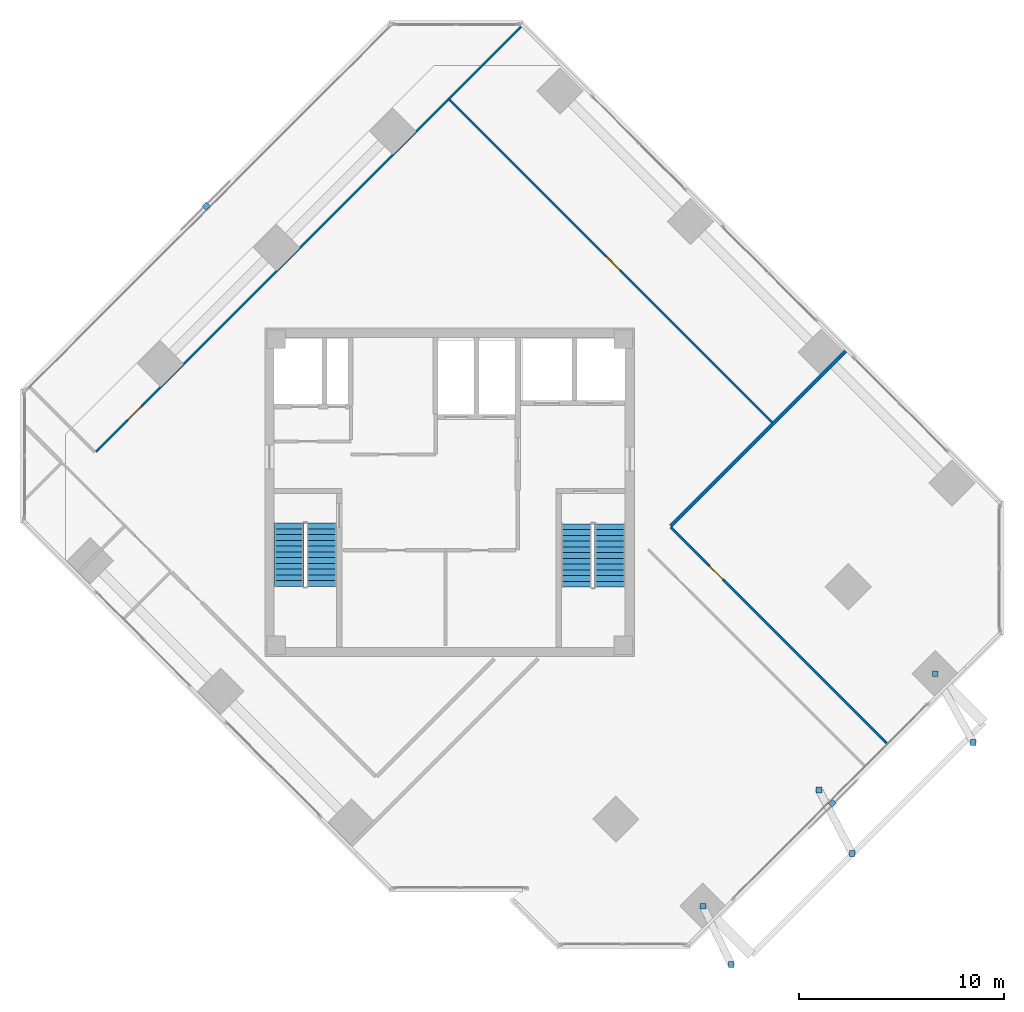
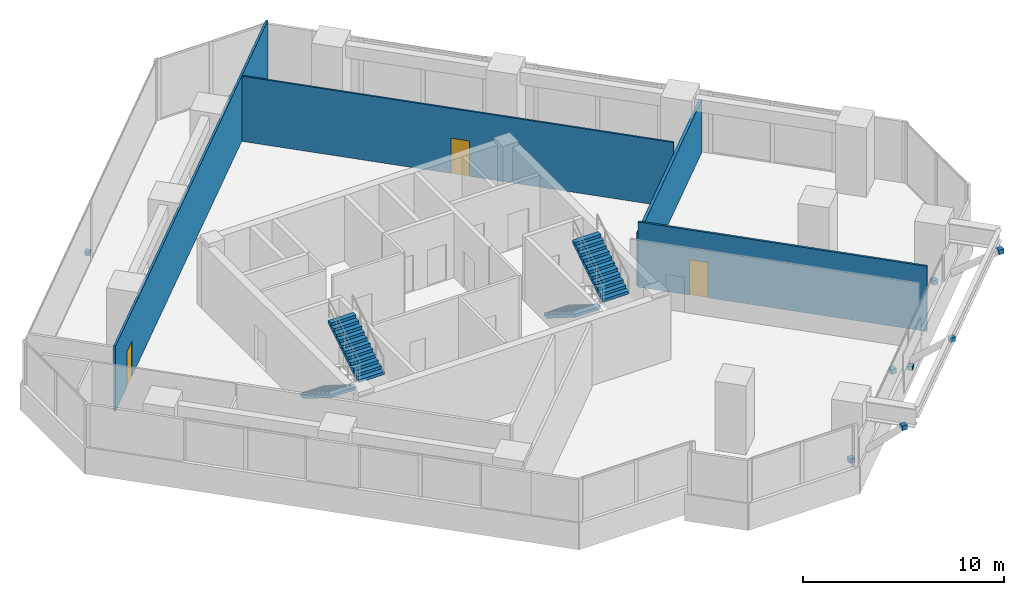
# One storey, part 14 of 17: 8 discrete accessories, 4 stair flights, 4 walls, 3 doors, 3 openings, 2 elements without a shape of their own.
"""IFC4 building model written with IfcOpenShell, lengths in metres."""

from ifc_helpers import new_model, si_unit, direction, frame, frame_2d, origin, origin_2d, place, context, subcontext, project, spatial, polyline, rectangle, outline, extrude, source, transform, mapped, material, layer, layer_set, type_object, element, fill, aggregate, save


model = new_model("IFC4")

# Units and contexts
model_context = context("Model", 3, precision=1e-05, world=origin(), true_north=direction((0.0, 1.0)))
body_context = subcontext(model_context, "Body", "Model", "MODEL_VIEW")
ifc_project = project(units=[si_unit("LENGTHUNIT", "METRE"), si_unit("AREAUNIT", "SQUARE_METRE"), si_unit("VOLUMEUNIT", "CUBIC_METRE"), si_unit("PLANEANGLEUNIT", "RADIAN"), si_unit("MASSUNIT", "GRAM", prefix="KILO")], contexts=[model_context])

# Site, building, storey
site_placement = place(None, origin())
site = spatial("IfcSite", under=ifc_project, at=site_placement, CompositionType="ELEMENT")
building_placement = place(site_placement, origin())
building = spatial("IfcBuilding", under=site, at=building_placement, Name="Torre Montelarca", CompositionType="ELEMENT")
storey_placement = place(building_placement, frame((0.0, 0.0, 250.0)))
storey = spatial("IfcBuildingStorey", under=building, at=storey_placement, Name="L56", CompositionType="ELEMENT", Elevation=250.0)

# Wall
ifc_material_1 = material(Name="Gypsum plasterboard on steel stud", Category="steel")
ifc_layer_1 = layer(ifc_material_1, 0.159912109375, Name="Gypsum plasterboard on steel stud", Category="steel")
ifc_layer_set_1 = layer_set([ifc_layer_1], Name="Gypsum plasterboard on steel stud")
wall_type_1 = type_object("IfcWallType", Name="PW-FIRE-160", PredefinedType="PARTITIONING", material=ifc_layer_set_1)
wall_1_placement = place(storey_placement, frame((28.76904296875, 30.359619140625, 0.0), z_axis=(0.0, 0.0, 1.0), x_axis=(0.707116919863, 0.707096642365, 0.0)))
element("IfcWall", 1, at=wall_1_placement, inside=storey, type_object=wall_type_1, Name="L56 Interior Partition W-L56-ECN", PredefinedType="PARTITIONING", context=body_context, shape_type="SweptSolid", body=[
    extrude(rectangle(XDim=12.0400390625, YDim=0.159912109375, at=frame_2d((6.02001953125, 0.0))), origin(), (0.0, 0.0, 1.0), 3.195068359375),
])

# Wall, opening, door
ifc_material_2 = material(Name="Acoustic laminated glass partition", Category="glass")
ifc_layer_2 = layer(ifc_material_2, 0.10009765625, Name="Acoustic laminated glass partition", Category="glass")
ifc_layer_set_2 = layer_set([ifc_layer_2], Name="Acoustic laminated glass partition")
wall_type_2 = type_object("IfcWallType", Name="PW-GLAZ-100", PredefinedType="PARTITIONING", material=ifc_layer_set_2)
wall_2_placement = place(storey_placement, frame((17.992919921875, 51.13427734375, 0.0), z_axis=(0.0, 0.0, 1.0), x_axis=(0.707106781187, -0.707106781187, 0.0)))
wall_2 = element("IfcWall", 2, at=wall_2_placement, inside=storey, type_object=wall_type_2, Name="L56 Interior Partition W-L56-NBOT", PredefinedType="PARTITIONING", context=body_context, shape_type="SweptSolid", body=[
    extrude(rectangle(XDim=22.269775390625, YDim=0.10009765625, at=frame_2d((11.134765625, 0.0))), origin(), (0.0, 0.0, 1.0), 3.9599609375),
])
opening_1_placement = place(wall_2_placement, frame((10.800048828125, 0.0, 0.0)))
opening_1 = element("IfcOpeningElement", 3, at=opening_1_placement, cuts=wall_2, Name="Opening ID-095", PredefinedType="OPENING", context=body_context, shape_type="SweptSolid", body=[
    extrude(rectangle(XDim=0.949951171875, YDim=2.14990234375, at=frame_2d((0.47509765625, 1.074951171875))), frame((0.0, 0.06005859375, 0.0), z_axis=(0.0, -1.0, 0.0), x_axis=(1.0, 0.0, 0.0)), (0.0, 0.0, 1.0), 0.1201171875),
])
ifc_material_3 = material(Name="Hardwood acoustic timber veneer", Category="wood")
door_type = type_object("IfcDoorType", Name="DR-INT-095", OperationType="NOTDEFINED", PredefinedType="DOOR", material=ifc_material_3)
shared_shape_1 = source(origin(), body_context, "Body", "SweptSolid", [
    extrude(rectangle(XDim=0.949951171875, YDim=2.14990234375, at=frame_2d((0.47509765625, 1.074951171875))), frame((0.0, 0.02490234375, 0.0), z_axis=(0.0, -1.0, 0.0), x_axis=(1.0, 0.0, 0.0)), (0.0, 0.0, 1.0), 0.050048828125),
])
door_1_placement = place(opening_1_placement, origin())
door_1 = element("IfcDoor", 4, at=door_1_placement, inside=storey, type_object=door_type, Name="L56 Interior Door 08", OperationType="SINGLE_SWING_LEFT", OverallHeight=2.14990234375, OverallWidth=0.949951171875, PredefinedType="DOOR", context=body_context, shape_type="MappedRepresentation", body=[
    mapped(shared_shape_1, transform((0.0, 0.0, 0.0), scale=1.0)),
])
fill(opening_1, door_1)

ifc_layer_3 = layer(ifc_material_1, 0.114990234375, Name="Gypsum plasterboard on steel stud", Category="steel")
ifc_layer_set_3 = layer_set([ifc_layer_3], Name="Gypsum plasterboard on steel stud")
wall_type_3 = type_object("IfcWallType", Name="PW-PART-115", PredefinedType="PARTITIONING", material=ifc_layer_set_3)
wall_3_placement = place(storey_placement, frame((0.774658203125, 33.972900390625, 0.0), z_axis=(0.0, 0.0, 1.0), x_axis=(0.707106781187, 0.707106781187, 0.0)))
wall_3 = element("IfcWall", 5, at=wall_3_placement, inside=storey, type_object=wall_type_3, Name="L56 Interior Partition W-L56-WWGE", PredefinedType="PARTITIONING", context=body_context, shape_type="SweptSolid", body=[
    extrude(rectangle(XDim=29.280029296875, YDim=0.114990234375, at=frame_2d((14.64013671875, 0.0))), origin(), (0.0, 0.0, 1.0), 3.9599609375),
])
opening_2_placement = place(wall_3_placement, frame((2.199951171875, 0.0, 0.0)))
opening_2 = element("IfcOpeningElement", 6, at=opening_2_placement, cuts=wall_3, Name="Opening ID-095", PredefinedType="OPENING", context=body_context, shape_type="SweptSolid", body=[
    extrude(rectangle(XDim=0.949951171875, YDim=2.14990234375, at=frame_2d((0.47509765625, 1.074951171875))), frame((0.0, 0.0673828125, 0.0), z_axis=(0.0, -1.0, 0.0), x_axis=(1.0, 0.0, 0.0)), (0.0, 0.0, 1.0), 0.135009765625),
])
door_2_placement = place(opening_2_placement, origin())
door_2 = element("IfcDoor", 7, at=door_2_placement, inside=storey, type_object=door_type, Name="L56 Interior Door 09", OperationType="SINGLE_SWING_LEFT", OverallHeight=2.14990234375, OverallWidth=0.949951171875, PredefinedType="DOOR", context=body_context, shape_type="MappedRepresentation", body=[
    mapped(shared_shape_1, transform((0.0, 0.0, 0.0), scale=1.0)),
])
fill(opening_2, door_2)

wall_4_placement = place(storey_placement, frame((28.76904296875, 30.302978515625, 0.0), z_axis=(0.0, 0.0, 1.0), x_axis=(0.707106781187, -0.707106781187, 0.0)))
wall_4 = element("IfcWall", 8, at=wall_4_placement, inside=storey, type_object=wall_type_3, Name="L56 Interior Partition W-L56-NE-S", PredefinedType="PARTITIONING", context=body_context, shape_type="SweptSolid", body=[
    extrude(rectangle(XDim=14.8798828125, YDim=0.114990234375, at=frame_2d((7.43994140625, 0.0))), origin(), (0.0, 0.0, 1.0), 3.9599609375),
])
opening_3_placement = place(wall_4_placement, frame((2.64990234375, 0.0, 0.0)))
opening_3 = element("IfcOpeningElement", 9, at=opening_3_placement, cuts=wall_4, Name="Opening ID-095", PredefinedType="OPENING", context=body_context, shape_type="SweptSolid", body=[
    extrude(rectangle(XDim=0.949951171875, YDim=2.14990234375, at=frame_2d((0.47509765625, 1.074951171875))), frame((0.0, 0.0673828125, 0.0), z_axis=(0.0, -1.0, 0.0), x_axis=(1.0, 0.0, 0.0)), (0.0, 0.0, 1.0), 0.135009765625),
])
door_3_placement = place(opening_3_placement, origin())
door_3 = element("IfcDoor", 10, at=door_3_placement, inside=storey, type_object=door_type, Name="L56 Interior Door 10", OperationType="SINGLE_SWING_LEFT", OverallHeight=2.14990234375, OverallWidth=0.949951171875, PredefinedType="DOOR", context=body_context, shape_type="MappedRepresentation", body=[
    mapped(shared_shape_1, transform((0.0, 0.0, 0.0), scale=1.0)),
])
fill(opening_3, door_3)

# Stair, stair flights
ifc_material_4 = material(Name="Concrete C40/50", Category="concrete")
stair_type_1 = type_object("IfcStairType", Name="ST-CORE-ST1", PredefinedType="HALF_TURN_STAIR", material=ifc_material_4)
stair_1_placement = place(storey_placement, origin())
stair_1 = element("IfcStair", 11, at=stair_1_placement, inside=storey, type_object=stair_type_1, Name="L56 Protected Exit Stair ST1", PredefinedType="HALF_TURN_STAIR")
stair_flight_type_1 = type_object("IfcStairFlightType", Name="SFL-CORE-ST1", PredefinedType="STRAIGHT", material=ifc_material_4)
stair_flight_1_placement = place(storey_placement, frame((10.175048828125, 30.5, 0.0), z_axis=(0.0, 0.0, 1.0), x_axis=(0.0, -1.0, 0.0)))
stair_flight_1 = element("IfcStairFlight", 12, at=stair_flight_1_placement, type_object=stair_flight_type_1, Name="ST1 flight 1", NumberOfRisers=12, NumberOfTreads=11, PredefinedType="STRAIGHT", RiserHeight=0.175, TreadLength=0.28, context=body_context, shape_type="SweptSolid", body=[
    extrude(outline(polyline([(0.0, 0.0), (0.0, 0.175048828125), (0.280029296875, 0.175048828125), (0.280029296875, 0.35009765625), (0.56005859375, 0.35009765625), (0.56005859375, 0.52490234375), (0.840087890625, 0.52490234375), (0.840087890625, 0.699951171875), (1.1201171875, 0.699951171875), (1.1201171875, 0.875), (1.39990234375, 0.875), (1.39990234375, 1.050048828125), (1.679931640625, 1.050048828125), (1.679931640625, 1.22509765625), (1.9599609375, 1.22509765625), (1.9599609375, 1.39990234375), (2.239990234375, 1.39990234375), (2.239990234375, 1.574951171875), (2.52001953125, 1.574951171875), (2.52001953125, 1.75), (2.800048828125, 1.75), (2.800048828125, 1.925048828125), (3.080078125, 1.925048828125), (3.080078125, 2.10009765625), (3.080078125, 1.748291015625), (0.28271484375, 0.0), (0.0, 0.0)])), frame((0.0, 0.72509765625, 0.0), z_axis=(0.0, -1.0, 0.0), x_axis=(1.0, 0.0, 0.0)), (0.0, 0.0, 1.0), 1.449951171875),
])
stair_flight_2_placement = place(storey_placement, frame((11.77490234375, 27.419921875, 2.10009765625), z_axis=(0.0, 0.0, 1.0), x_axis=(0.0, 1.0, 0.0)))
stair_flight_2 = element("IfcStairFlight", 13, at=stair_flight_2_placement, type_object=stair_flight_type_1, Name="ST1 flight 2", NumberOfRisers=12, NumberOfTreads=11, PredefinedType="STRAIGHT", RiserHeight=0.175, TreadLength=0.28, context=body_context, shape_type="SweptSolid", body=[
    extrude(outline(polyline([(0.0, 0.0), (0.0, 0.175048828125), (0.280029296875, 0.175048828125), (0.280029296875, 0.35009765625), (0.56005859375, 0.35009765625), (0.56005859375, 0.52490234375), (0.840087890625, 0.52490234375), (0.840087890625, 0.699951171875), (1.1201171875, 0.699951171875), (1.1201171875, 0.875), (1.39990234375, 0.875), (1.39990234375, 1.050048828125), (1.679931640625, 1.050048828125), (1.679931640625, 1.22509765625), (1.9599609375, 1.22509765625), (1.9599609375, 1.39990234375), (2.239990234375, 1.39990234375), (2.239990234375, 1.574951171875), (2.52001953125, 1.574951171875), (2.52001953125, 1.75), (2.800048828125, 1.75), (2.800048828125, 1.925048828125), (3.080078125, 1.925048828125), (3.080078125, 2.10009765625), (3.080078125, 1.748291015625), (0.28271484375, 0.0), (0.0, 0.0)])), frame((0.0, 0.72509765625, 0.0), z_axis=(0.0, -1.0, 0.0), x_axis=(1.0, 0.0, 0.0)), (0.0, 0.0, 1.0), 1.449951171875),
])
aggregate(stair_1, [stair_flight_1, stair_flight_2])

stair_type_2 = type_object("IfcStairType", Name="ST-CORE-ST2", PredefinedType="HALF_TURN_STAIR", material=ifc_material_4)
stair_2_placement = place(storey_placement, origin())
stair_2 = element("IfcStair", 14, at=stair_2_placement, inside=storey, type_object=stair_type_2, Name="L56 Protected Exit Stair ST2", PredefinedType="HALF_TURN_STAIR")
stair_flight_type_2 = type_object("IfcStairFlightType", Name="SFL-CORE-ST2", PredefinedType="STRAIGHT", material=ifc_material_4)
stair_flight_3_placement = place(storey_placement, frame((24.179931640625, 30.469970703125, 0.0), z_axis=(0.0, 0.0, 1.0), x_axis=(0.0, -1.0, 0.0)))
stair_flight_3 = element("IfcStairFlight", 15, at=stair_flight_3_placement, type_object=stair_flight_type_2, Name="ST2 flight 1", NumberOfRisers=12, NumberOfTreads=11, PredefinedType="STRAIGHT", RiserHeight=0.175, TreadLength=0.28, context=body_context, shape_type="SweptSolid", body=[
    extrude(outline(polyline([(0.0, 0.0), (0.0, 0.175048828125), (0.280029296875, 0.175048828125), (0.280029296875, 0.35009765625), (0.56005859375, 0.35009765625), (0.56005859375, 0.52490234375), (0.840087890625, 0.52490234375), (0.840087890625, 0.699951171875), (1.1201171875, 0.699951171875), (1.1201171875, 0.875), (1.39990234375, 0.875), (1.39990234375, 1.050048828125), (1.679931640625, 1.050048828125), (1.679931640625, 1.22509765625), (1.9599609375, 1.22509765625), (1.9599609375, 1.39990234375), (2.239990234375, 1.39990234375), (2.239990234375, 1.574951171875), (2.52001953125, 1.574951171875), (2.52001953125, 1.75), (2.800048828125, 1.75), (2.800048828125, 1.925048828125), (3.080078125, 1.925048828125), (3.080078125, 2.10009765625), (3.080078125, 1.748291015625), (0.28271484375, 0.0), (0.0, 0.0)])), frame((0.0, 0.739990234375, 0.0), z_axis=(0.0, -1.0, 0.0), x_axis=(1.0, 0.0, 0.0)), (0.0, 0.0, 1.0), 1.47998046875),
])
stair_flight_4_placement = place(storey_placement, frame((25.81005859375, 27.389892578125, 2.10009765625), z_axis=(0.0, 0.0, 1.0), x_axis=(0.0, 1.0, 0.0)))
stair_flight_4 = element("IfcStairFlight", 16, at=stair_flight_4_placement, type_object=stair_flight_type_2, Name="ST2 flight 2", NumberOfRisers=12, NumberOfTreads=11, PredefinedType="STRAIGHT", RiserHeight=0.175, TreadLength=0.28, context=body_context, shape_type="SweptSolid", body=[
    extrude(outline(polyline([(0.0, 0.0), (0.0, 0.175048828125), (0.280029296875, 0.175048828125), (0.280029296875, 0.35009765625), (0.56005859375, 0.35009765625), (0.56005859375, 0.52490234375), (0.840087890625, 0.52490234375), (0.840087890625, 0.699951171875), (1.1201171875, 0.699951171875), (1.1201171875, 0.875), (1.39990234375, 0.875), (1.39990234375, 1.050048828125), (1.679931640625, 1.050048828125), (1.679931640625, 1.22509765625), (1.9599609375, 1.22509765625), (1.9599609375, 1.39990234375), (2.239990234375, 1.39990234375), (2.239990234375, 1.574951171875), (2.52001953125, 1.574951171875), (2.52001953125, 1.75), (2.800048828125, 1.75), (2.800048828125, 1.925048828125), (3.080078125, 1.925048828125), (3.080078125, 2.10009765625), (3.080078125, 1.748291015625), (0.28271484375, 0.0), (0.0, 0.0)])), frame((0.0, 0.739990234375, 0.0), z_axis=(0.0, -1.0, 0.0), x_axis=(1.0, 0.0, 0.0)), (0.0, 0.0, 1.0), 1.47998046875),
])
aggregate(stair_2, [stair_flight_3, stair_flight_4])

# Discrete accessories
ifc_material_5 = material(Name="Stainless steel AISI 316", Category="steel")
discrete_accessory_type = type_object("IfcDiscreteAccessoryType", Name="ACC-BRACKET-SS", PredefinedType="BRACKET", material=ifc_material_5)
shared_shape_2 = source(origin(), body_context, "Body", "SweptSolid", [
    extrude(rectangle(XDim=0.280029296875, YDim=0.280029296875, at=origin_2d()), origin(), (0.0, 0.0, 1.0), 0.280029296875),
])
for number, where, z_axis, x_axis, name in (
    (17, (30.3388671875, 11.847412109375, 0.009765625), (0.0, 0.0, 1.0), (1.0, 0.0, 0.0), "L57 Raker End Connection Bracket E1-FT"),
    (18, (31.714599609375, 9.01123046875, 3.2451171875), (0.0, 0.0, 1.0), (1.0, 0.0, 0.0), "L57 Raker End Connection Bracket E1-HD"),
    (19, (35.99560546875, 17.50439453125, 0.009765625), (0.0, 0.0, 1.0), (1.0, 0.0, 0.0), "L57 Raker End Connection Bracket E2-FT"),
    (20, (37.61279296875, 14.416015625, 3.2451171875), (0.0, 0.0, 1.0), (1.0, 0.0, 0.0), "L57 Raker End Connection Bracket E2-HD"),
    (21, (41.652587890625, 23.1611328125, 0.009765625), (0.0, 0.0, 1.0), (1.0, 0.0, 0.0), "L57 Raker End Connection Bracket E3-FT"),
    (22, (43.510986328125, 19.82080078125, 3.2451171875), (0.0, 0.0, 1.0), (1.0, 0.0, 0.0), "L57 Raker End Connection Bracket E3-HD"),
):
    element("IfcDiscreteAccessory", number, at=place(storey_placement, frame(where, z_axis=z_axis, x_axis=x_axis)), inside=storey, type_object=discrete_accessory_type, Name=name, PredefinedType="BRACKET", context=body_context, shape_type="MappedRepresentation", body=[
        mapped(shared_shape_2, transform((0.0, 0.0, 0.0), scale=1.0)),
    ])
shared_shape_3 = source(origin(), body_context, "Body", "SweptSolid", [
    extrude(rectangle(XDim=0.280029296875, YDim=0.260009765625, at=origin_2d()), origin(), (0.0, 0.0, 1.0), 0.239990234375),
])
for number, where, z_axis, x_axis, name in (
    (23, (36.646240234375, 16.853759765625, 0.39990234375), (0.0, 0.0, 1.0), (0.707106781187, 0.707106781187, 0.0), "L56 Solar Screen Support Bracket E6-1"),
    (24, (6.1416015625, 45.944091796875, 0.39990234375), (0.0, 0.0, 1.0), (-0.707104312914, -0.707109249451, 0.0), "L56 Solar Screen Support Bracket E10-1"),
):
    element("IfcDiscreteAccessory", number, at=place(storey_placement, frame(where, z_axis=z_axis, x_axis=x_axis)), inside=storey, type_object=discrete_accessory_type, Name=name, PredefinedType="BRACKET", context=body_context, shape_type="MappedRepresentation", body=[
        mapped(shared_shape_3, transform((0.0, 0.0, 0.0), scale=1.0)),
    ])

save(model, "model.ifc")
